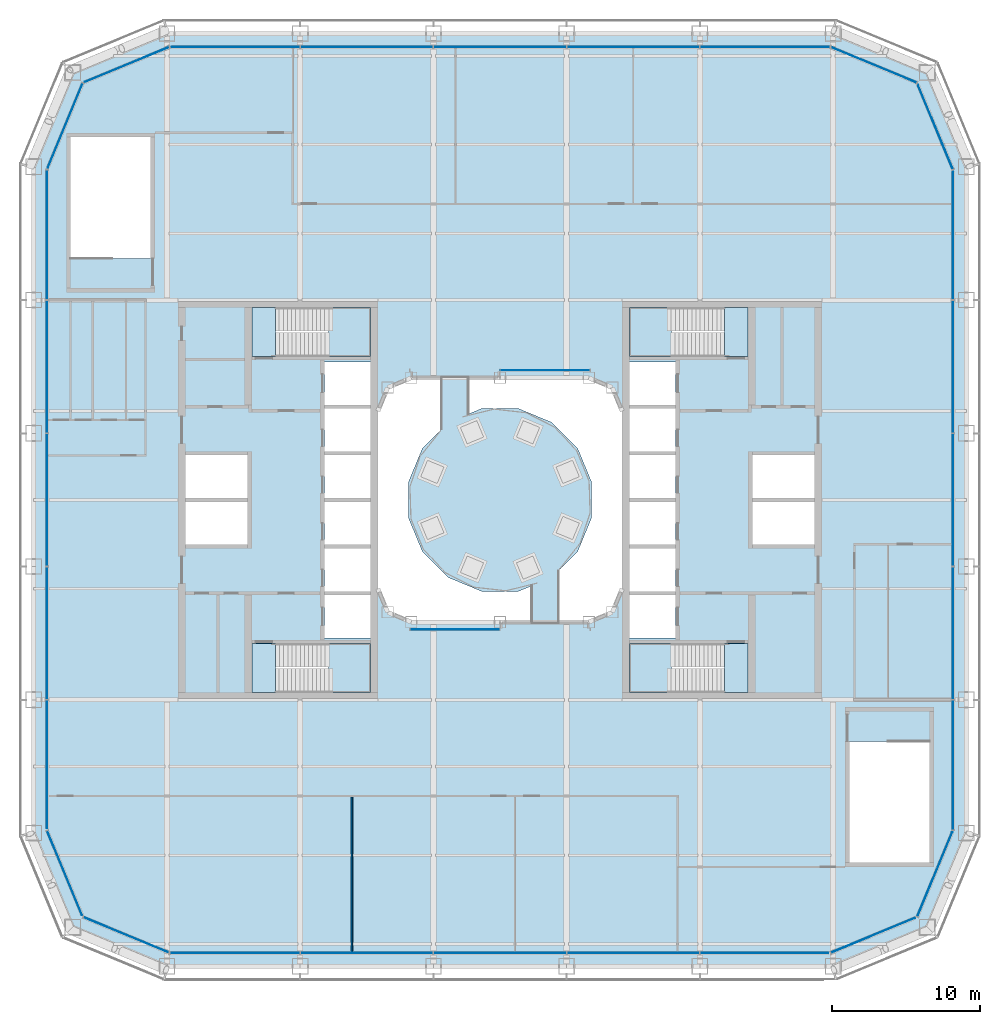
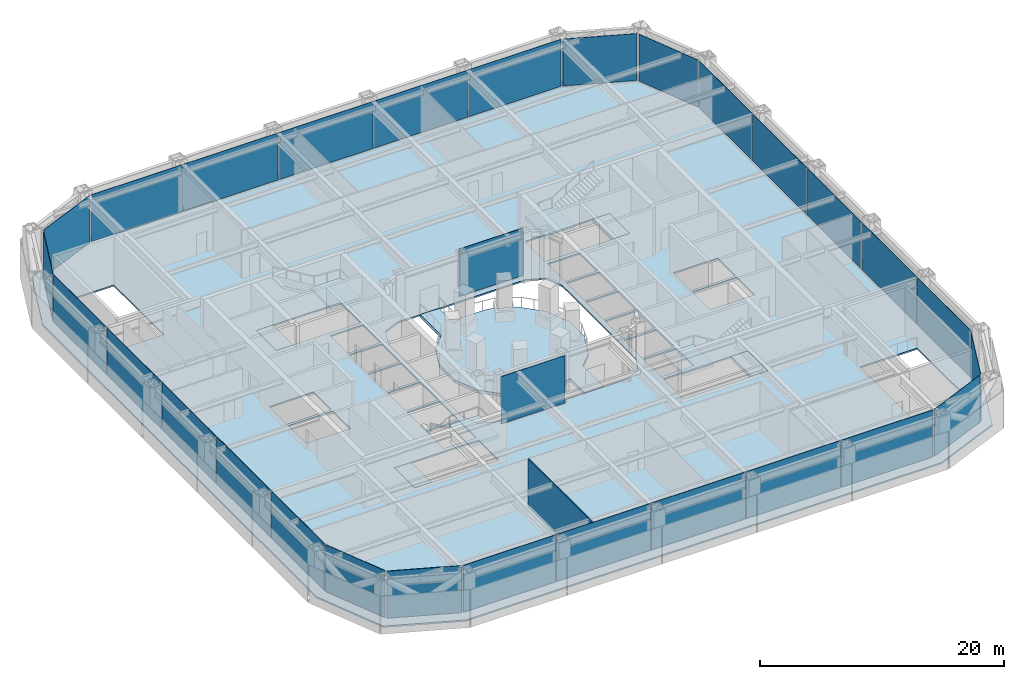
# One storey, part 11 of 25: 30 plates, 10 slabs, 1 wall, 18 elements without a shape of their own.
"""IFC4 building model written with IfcOpenShell, lengths in metres."""

from ifc_helpers import new_model, si_unit, direction, frame, frame_2d, origin, origin_2d, place, context, subcontext, project, spatial, polyline, rectangle, outline, extrude, material, layer, layer_set, type_object, element, aggregate, save


model = new_model("IFC4")

# Units and contexts
model_context = context("Model", 3, precision=1e-05, world=origin(), true_north=direction((0.0, 1.0)))
body_context = subcontext(model_context, "Body", "Model", "MODEL_VIEW")
ifc_project = project(units=[si_unit("LENGTHUNIT", "METRE"), si_unit("AREAUNIT", "SQUARE_METRE"), si_unit("VOLUMEUNIT", "CUBIC_METRE"), si_unit("PLANEANGLEUNIT", "RADIAN"), si_unit("MASSUNIT", "GRAM", prefix="KILO")], contexts=[model_context])

# Site, building, storey
site_placement = place(None, origin())
site = spatial("IfcSite", under=ifc_project, at=site_placement, CompositionType="ELEMENT")
building_placement = place(site_placement, origin())
building = spatial("IfcBuilding", under=site, at=building_placement, Name="Siwar Civic Tower", CompositionType="ELEMENT")
storey_placement = place(building_placement, frame((0.0, 0.0, 17.199951171875)))
storey = spatial("IfcBuildingStorey", under=building, at=storey_placement, Name="L03", CompositionType="ELEMENT", Elevation=17.199951171875)

# Stair, slabs
ifc_material_1 = material(Name="Concrete C40/50", Category="concrete")
stair_type = type_object("IfcStairType", Name="CORE-STAIR", PredefinedType="TWO_STRAIGHT_RUN_STAIR", material=ifc_material_1)
stair_1_placement = place(storey_placement, origin())
stair_1 = element("IfcStair", 1, at=stair_1_placement, inside=storey, type_object=stair_type, Name="Exit stair ST1", PredefinedType="TWO_STRAIGHT_RUN_STAIR")
ifc_material_2 = material(Name="Concrete C40/50", Category="concrete")
ifc_layer_1 = layer(ifc_material_2, 0.300048828125)
ifc_layer_set_1 = layer_set([ifc_layer_1], Name="Concrete C40/50")
slab_type_1 = type_object("IfcSlabType", Name="CORE-STAIR-LANDING", PredefinedType="LANDING", material=ifc_layer_set_1)
slab_1_placement = place(storey_placement, frame((0.0, 0.0, -0.300048828125)))
slab_1 = element("IfcSlab", 2, at=slab_1_placement, type_object=slab_type_1, Name="ST1 landing 1", PredefinedType="LANDING", context=body_context, shape_type="SweptSolid", body=[
    extrude(outline(polyline([(-15.14990234375, 13.0), (-16.75, 13.0), (-16.75, 9.699951171875), (-15.14990234375, 9.699951171875), (-15.14990234375, 13.0)])), origin(), (0.0, 0.0, 1.0), 0.300048828125),
])
slab_2_placement = place(storey_placement, frame((0.0, 0.0, 2.199951171875)))
slab_2 = element("IfcSlab", 3, at=slab_2_placement, type_object=slab_type_1, Name="ST1 landing 2", PredefinedType="LANDING", context=body_context, shape_type="SweptSolid", body=[
    extrude(outline(polyline([(-8.75, 13.0), (-11.580078125, 13.0), (-11.580078125, 9.699951171875), (-8.75, 9.699951171875), (-8.75, 13.0)])), origin(), (0.0, 0.0, 1.0), 0.300048828125),
])
aggregate(stair_1, [slab_1, slab_2])

stair_2_placement = place(storey_placement, origin())
stair_2 = element("IfcStair", 4, at=stair_2_placement, inside=storey, type_object=stair_type, Name="Exit stair ST2", PredefinedType="TWO_STRAIGHT_RUN_STAIR")
slab_3_placement = place(storey_placement, frame((0.0, 0.0, -0.300048828125)))
slab_3 = element("IfcSlab", 5, at=slab_3_placement, type_object=slab_type_1, Name="ST2 landing 1", PredefinedType="LANDING", context=body_context, shape_type="SweptSolid", body=[
    extrude(outline(polyline([(-15.14990234375, -9.699951171875), (-16.75, -9.699951171875), (-16.75, -13.0), (-15.14990234375, -13.0), (-15.14990234375, -9.699951171875)])), origin(), (0.0, 0.0, 1.0), 0.300048828125),
])
slab_4_placement = place(storey_placement, frame((0.0, 0.0, 2.199951171875)))
slab_4 = element("IfcSlab", 6, at=slab_4_placement, type_object=slab_type_1, Name="ST2 landing 2", PredefinedType="LANDING", context=body_context, shape_type="SweptSolid", body=[
    extrude(outline(polyline([(-8.75, -9.699951171875), (-11.580078125, -9.699951171875), (-11.580078125, -13.0), (-8.75, -13.0), (-8.75, -9.699951171875)])), origin(), (0.0, 0.0, 1.0), 0.300048828125),
])
aggregate(stair_2, [slab_3, slab_4])

stair_3_placement = place(storey_placement, origin())
stair_3 = element("IfcStair", 7, at=stair_3_placement, inside=storey, type_object=stair_type, Name="Exit stair ST3", PredefinedType="TWO_STRAIGHT_RUN_STAIR")
slab_5_placement = place(storey_placement, frame((0.0, 0.0, -0.300048828125)))
slab_5 = element("IfcSlab", 8, at=slab_5_placement, type_object=slab_type_1, Name="ST3 landing 1", PredefinedType="LANDING", context=body_context, shape_type="SweptSolid", body=[
    extrude(outline(polyline([(15.14990234375, 9.699951171875), (16.75, 9.699951171875), (16.75, 13.0), (15.14990234375, 13.0), (15.14990234375, 9.699951171875)])), origin(), (0.0, 0.0, 1.0), 0.300048828125),
])
slab_6_placement = place(storey_placement, frame((0.0, 0.0, 2.199951171875)))
slab_6 = element("IfcSlab", 9, at=slab_6_placement, type_object=slab_type_1, Name="ST3 landing 2", PredefinedType="LANDING", context=body_context, shape_type="SweptSolid", body=[
    extrude(outline(polyline([(8.75, 9.699951171875), (11.580078125, 9.699951171875), (11.580078125, 13.0), (8.75, 13.0), (8.75, 9.699951171875)])), origin(), (0.0, 0.0, 1.0), 0.300048828125),
])
aggregate(stair_3, [slab_5, slab_6])

stair_4_placement = place(storey_placement, origin())
stair_4 = element("IfcStair", 10, at=stair_4_placement, inside=storey, type_object=stair_type, Name="Exit stair ST4", PredefinedType="TWO_STRAIGHT_RUN_STAIR")
slab_7_placement = place(storey_placement, frame((0.0, 0.0, -0.300048828125)))
slab_7 = element("IfcSlab", 11, at=slab_7_placement, type_object=slab_type_1, Name="ST4 landing 1", PredefinedType="LANDING", context=body_context, shape_type="SweptSolid", body=[
    extrude(outline(polyline([(15.14990234375, -13.0), (16.75, -13.0), (16.75, -9.699951171875), (15.14990234375, -9.699951171875), (15.14990234375, -13.0)])), origin(), (0.0, 0.0, 1.0), 0.300048828125),
])
slab_8_placement = place(storey_placement, frame((0.0, 0.0, 2.199951171875)))
slab_8 = element("IfcSlab", 12, at=slab_8_placement, type_object=slab_type_1, Name="ST4 landing 2", PredefinedType="LANDING", context=body_context, shape_type="SweptSolid", body=[
    extrude(outline(polyline([(8.75, -13.0), (11.580078125, -13.0), (11.580078125, -9.699951171875), (8.75, -9.699951171875), (8.75, -13.0)])), origin(), (0.0, 0.0, 1.0), 0.300048828125),
])
aggregate(stair_4, [slab_7, slab_8])

# Curtain wall, plates
ifc_material_3 = material(Name="Aluminium and glass", Category="aluminium")
ifc_layer_2 = layer(ifc_material_3, 0.25)
ifc_layer_set_2 = layer_set([ifc_layer_2], Name="Aluminium and glass")
curtain_wall_type_1 = type_object("IfcCurtainWallType", Name="ENV-CW-H", PredefinedType="NOTDEFINED", material=ifc_layer_set_2)
curtain_wall_1_placement = place(storey_placement, origin())
curtain_wall_1 = element("IfcCurtainWall", 13, at=curtain_wall_1_placement, inside=storey, type_object=curtain_wall_type_1, Name="Curtain wall H S", PredefinedType="NOTDEFINED")
ifc_material_4 = material(Name="Glass clear laminated", Category="glass")
ifc_layer_3 = layer(ifc_material_4, 0.0400390625)
ifc_layer_set_3 = layer_set([ifc_layer_3], Name="Glass clear laminated")
plate_type_1 = type_object("IfcPlateType", Name="ENV-PANEL-H", PredefinedType="CURTAIN_PANEL", material=ifc_layer_set_3)
plate_1_placement = place(storey_placement, frame((-17.910400390625, -30.60009765625, 0.14013671875), z_axis=(0.0, 0.0, 1.0), x_axis=(1.0, 0.0, 0.0)))
plate_1 = element("IfcPlate", 14, at=plate_1_placement, type_object=plate_type_1, Name="Curtain panel H S 1", PredefinedType="CURTAIN_PANEL", context=body_context, shape_type="SweptSolid", body=[
    extrude(rectangle(XDim=8.740966796875, YDim=0.0400390625, at=origin_2d()), origin(), (0.0, 0.0, 1.0), 4.7099609375),
])
plate_2_placement = place(storey_placement, frame((-9.0, -30.60009765625, 0.14013671875), z_axis=(0.0, 0.0, 1.0), x_axis=(1.0, 0.0, 0.0)))
plate_2 = element("IfcPlate", 15, at=plate_2_placement, type_object=plate_type_1, Name="Curtain panel H S 2", PredefinedType="CURTAIN_PANEL", context=body_context, shape_type="SweptSolid", body=[
    extrude(rectangle(XDim=8.919921875, YDim=0.0400390625, at=origin_2d()), origin(), (0.0, 0.0, 1.0), 4.7099609375),
])
plate_3_placement = place(storey_placement, frame((0.0, -30.60009765625, 0.14013671875), z_axis=(0.0, 0.0, 1.0), x_axis=(1.0, 0.0, 0.0)))
plate_3 = element("IfcPlate", 16, at=plate_3_placement, type_object=plate_type_1, Name="Curtain panel H S 3", PredefinedType="CURTAIN_PANEL", context=body_context, shape_type="SweptSolid", body=[
    extrude(rectangle(XDim=8.919921875, YDim=0.0400390625, at=origin_2d()), origin(), (0.0, 0.0, 1.0), 4.7099609375),
])
plate_4_placement = place(storey_placement, frame((9.0, -30.60009765625, 0.14013671875), z_axis=(0.0, 0.0, 1.0), x_axis=(1.0, 0.0, 0.0)))
plate_4 = element("IfcPlate", 17, at=plate_4_placement, type_object=plate_type_1, Name="Curtain panel H S 4", PredefinedType="CURTAIN_PANEL", context=body_context, shape_type="SweptSolid", body=[
    extrude(rectangle(XDim=8.919921875, YDim=0.0400390625, at=origin_2d()), origin(), (0.0, 0.0, 1.0), 4.7099609375),
])
plate_5_placement = place(storey_placement, frame((17.862060546875, -30.60009765625, 0.14013671875), z_axis=(0.0, 0.0, 1.0), x_axis=(1.0, 0.0, 0.0)))
plate_5 = element("IfcPlate", 18, at=plate_5_placement, type_object=plate_type_1, Name="Curtain panel H S 5", PredefinedType="CURTAIN_PANEL", context=body_context, shape_type="SweptSolid", body=[
    extrude(rectangle(XDim=8.644287109375, YDim=0.0400390625, at=origin_2d()), origin(), (0.0, 0.0, 1.0), 4.7099609375),
])
aggregate(curtain_wall_1, [plate_1, plate_2, plate_3, plate_4, plate_5])

curtain_wall_2_placement = place(storey_placement, origin())
curtain_wall_2 = element("IfcCurtainWall", 19, at=curtain_wall_2_placement, inside=storey, type_object=curtain_wall_type_1, Name="Curtain wall H E", PredefinedType="NOTDEFINED")
plate_6_placement = place(storey_placement, frame((30.60009765625, -17.910400390625, 0.14013671875), z_axis=(0.0, 0.0, 1.0), x_axis=(0.0, 1.0, 0.0)))
plate_6 = element("IfcPlate", 20, at=plate_6_placement, type_object=plate_type_1, Name="Curtain panel H E 1", PredefinedType="CURTAIN_PANEL", context=body_context, shape_type="SweptSolid", body=[
    extrude(rectangle(XDim=8.740966796875, YDim=0.0400390625, at=origin_2d()), origin(), (0.0, 0.0, 1.0), 4.7099609375),
])
plate_7_placement = place(storey_placement, frame((30.60009765625, -9.0, 0.14013671875), z_axis=(0.0, 0.0, 1.0), x_axis=(0.0, 1.0, 0.0)))
plate_7 = element("IfcPlate", 21, at=plate_7_placement, type_object=plate_type_1, Name="Curtain panel H E 2", PredefinedType="CURTAIN_PANEL", context=body_context, shape_type="SweptSolid", body=[
    extrude(rectangle(XDim=8.919921875, YDim=0.0400390625, at=origin_2d()), origin(), (0.0, 0.0, 1.0), 4.7099609375),
])
plate_8_placement = place(storey_placement, frame((30.60009765625, 0.0, 0.14013671875), z_axis=(0.0, 0.0, 1.0), x_axis=(0.0, 1.0, 0.0)))
plate_8 = element("IfcPlate", 22, at=plate_8_placement, type_object=plate_type_1, Name="Curtain panel H E 3", PredefinedType="CURTAIN_PANEL", context=body_context, shape_type="SweptSolid", body=[
    extrude(rectangle(XDim=8.919921875, YDim=0.0400390625, at=origin_2d()), origin(), (0.0, 0.0, 1.0), 4.7099609375),
])
plate_9_placement = place(storey_placement, frame((30.60009765625, 9.0, 0.14013671875), z_axis=(0.0, 0.0, 1.0), x_axis=(0.0, 1.0, 0.0)))
plate_9 = element("IfcPlate", 23, at=plate_9_placement, type_object=plate_type_1, Name="Curtain panel H E 4", PredefinedType="CURTAIN_PANEL", context=body_context, shape_type="SweptSolid", body=[
    extrude(rectangle(XDim=8.919921875, YDim=0.0400390625, at=origin_2d()), origin(), (0.0, 0.0, 1.0), 4.7099609375),
])
plate_10_placement = place(storey_placement, frame((30.60009765625, 17.862060546875, 0.14013671875), z_axis=(0.0, 0.0, 1.0), x_axis=(0.0, 1.0, 0.0)))
plate_10 = element("IfcPlate", 24, at=plate_10_placement, type_object=plate_type_1, Name="Curtain panel H E 5", PredefinedType="CURTAIN_PANEL", context=body_context, shape_type="SweptSolid", body=[
    extrude(rectangle(XDim=8.644287109375, YDim=0.0400390625, at=origin_2d()), origin(), (0.0, 0.0, 1.0), 4.7099609375),
])
aggregate(curtain_wall_2, [plate_6, plate_7, plate_8, plate_9, plate_10])

curtain_wall_3_placement = place(storey_placement, origin())
curtain_wall_3 = element("IfcCurtainWall", 25, at=curtain_wall_3_placement, inside=storey, type_object=curtain_wall_type_1, Name="Curtain wall H N", PredefinedType="NOTDEFINED")
plate_11_placement = place(storey_placement, frame((17.910400390625, 30.60009765625, 0.14013671875), z_axis=(0.0, 0.0, 1.0), x_axis=(-1.0, 0.0, 0.0)))
plate_11 = element("IfcPlate", 26, at=plate_11_placement, type_object=plate_type_1, Name="Curtain panel H N 1", PredefinedType="CURTAIN_PANEL", context=body_context, shape_type="SweptSolid", body=[
    extrude(rectangle(XDim=8.740966796875, YDim=0.0400390625, at=origin_2d()), origin(), (0.0, 0.0, 1.0), 4.7099609375),
])
plate_12_placement = place(storey_placement, frame((9.0, 30.60009765625, 0.14013671875), z_axis=(0.0, 0.0, 1.0), x_axis=(-1.0, 0.0, 0.0)))
plate_12 = element("IfcPlate", 27, at=plate_12_placement, type_object=plate_type_1, Name="Curtain panel H N 2", PredefinedType="CURTAIN_PANEL", context=body_context, shape_type="SweptSolid", body=[
    extrude(rectangle(XDim=8.919921875, YDim=0.0400390625, at=origin_2d()), origin(), (0.0, 0.0, 1.0), 4.7099609375),
])
plate_13_placement = place(storey_placement, frame((0.0, 30.60009765625, 0.14013671875), z_axis=(0.0, 0.0, 1.0), x_axis=(-1.0, 0.0, 0.0)))
plate_13 = element("IfcPlate", 28, at=plate_13_placement, type_object=plate_type_1, Name="Curtain panel H N 3", PredefinedType="CURTAIN_PANEL", context=body_context, shape_type="SweptSolid", body=[
    extrude(rectangle(XDim=8.919921875, YDim=0.0400390625, at=origin_2d()), origin(), (0.0, 0.0, 1.0), 4.7099609375),
])
plate_14_placement = place(storey_placement, frame((-9.0, 30.60009765625, 0.14013671875), z_axis=(0.0, 0.0, 1.0), x_axis=(-1.0, 0.0, 0.0)))
plate_14 = element("IfcPlate", 29, at=plate_14_placement, type_object=plate_type_1, Name="Curtain panel H N 4", PredefinedType="CURTAIN_PANEL", context=body_context, shape_type="SweptSolid", body=[
    extrude(rectangle(XDim=8.919921875, YDim=0.0400390625, at=origin_2d()), origin(), (0.0, 0.0, 1.0), 4.7099609375),
])
plate_15_placement = place(storey_placement, frame((-17.862060546875, 30.60009765625, 0.14013671875), z_axis=(0.0, 0.0, 1.0), x_axis=(-1.0, 0.0, 0.0)))
plate_15 = element("IfcPlate", 30, at=plate_15_placement, type_object=plate_type_1, Name="Curtain panel H N 5", PredefinedType="CURTAIN_PANEL", context=body_context, shape_type="SweptSolid", body=[
    extrude(rectangle(XDim=8.644287109375, YDim=0.0400390625, at=origin_2d()), origin(), (0.0, 0.0, 1.0), 4.7099609375),
])
aggregate(curtain_wall_3, [plate_11, plate_12, plate_13, plate_14, plate_15])

curtain_wall_4_placement = place(storey_placement, origin())
curtain_wall_4 = element("IfcCurtainWall", 31, at=curtain_wall_4_placement, inside=storey, type_object=curtain_wall_type_1, Name="Curtain wall H W", PredefinedType="NOTDEFINED")
plate_16_placement = place(storey_placement, frame((-30.60009765625, 17.910400390625, 0.14013671875), z_axis=(0.0, 0.0, 1.0), x_axis=(0.0, -1.0, 0.0)))
plate_16 = element("IfcPlate", 32, at=plate_16_placement, type_object=plate_type_1, Name="Curtain panel H W 1", PredefinedType="CURTAIN_PANEL", context=body_context, shape_type="SweptSolid", body=[
    extrude(rectangle(XDim=8.740966796875, YDim=0.0400390625, at=origin_2d()), origin(), (0.0, 0.0, 1.0), 4.7099609375),
])
plate_17_placement = place(storey_placement, frame((-30.60009765625, 9.0, 0.14013671875), z_axis=(0.0, 0.0, 1.0), x_axis=(0.0, -1.0, 0.0)))
plate_17 = element("IfcPlate", 33, at=plate_17_placement, type_object=plate_type_1, Name="Curtain panel H W 2", PredefinedType="CURTAIN_PANEL", context=body_context, shape_type="SweptSolid", body=[
    extrude(rectangle(XDim=8.919921875, YDim=0.0400390625, at=origin_2d()), origin(), (0.0, 0.0, 1.0), 4.7099609375),
])
plate_18_placement = place(storey_placement, frame((-30.60009765625, 0.0, 0.14013671875), z_axis=(0.0, 0.0, 1.0), x_axis=(0.0, -1.0, 0.0)))
plate_18 = element("IfcPlate", 34, at=plate_18_placement, type_object=plate_type_1, Name="Curtain panel H W 3", PredefinedType="CURTAIN_PANEL", context=body_context, shape_type="SweptSolid", body=[
    extrude(rectangle(XDim=8.919921875, YDim=0.0400390625, at=origin_2d()), origin(), (0.0, 0.0, 1.0), 4.7099609375),
])
plate_19_placement = place(storey_placement, frame((-30.60009765625, -9.0, 0.14013671875), z_axis=(0.0, 0.0, 1.0), x_axis=(0.0, -1.0, 0.0)))
plate_19 = element("IfcPlate", 35, at=plate_19_placement, type_object=plate_type_1, Name="Curtain panel H W 4", PredefinedType="CURTAIN_PANEL", context=body_context, shape_type="SweptSolid", body=[
    extrude(rectangle(XDim=8.919921875, YDim=0.0400390625, at=origin_2d()), origin(), (0.0, 0.0, 1.0), 4.7099609375),
])
plate_20_placement = place(storey_placement, frame((-30.60009765625, -17.862060546875, 0.14013671875), z_axis=(0.0, 0.0, 1.0), x_axis=(0.0, -1.0, 0.0)))
plate_20 = element("IfcPlate", 36, at=plate_20_placement, type_object=plate_type_1, Name="Curtain panel H W 5", PredefinedType="CURTAIN_PANEL", context=body_context, shape_type="SweptSolid", body=[
    extrude(rectangle(XDim=8.644287109375, YDim=0.0400390625, at=origin_2d()), origin(), (0.0, 0.0, 1.0), 4.7099609375),
])
aggregate(curtain_wall_4, [plate_16, plate_17, plate_18, plate_19, plate_20])

# Curtain wall, plate
ifc_material_5 = material(Name="Aluminium clad insulated panel", Category="aluminium")
ifc_layer_4 = layer(ifc_material_5, 0.25)
ifc_layer_set_4 = layer_set([ifc_layer_4], Name="Aluminium clad insulated panel")
curtain_wall_type_2 = type_object("IfcCurtainWallType", Name="ENV-CW-HX", PredefinedType="NOTDEFINED", material=ifc_layer_set_4)
curtain_wall_5_placement = place(storey_placement, origin())
curtain_wall_5 = element("IfcCurtainWall", 37, at=curtain_wall_5_placement, inside=storey, type_object=curtain_wall_type_2, Name="Curtain wall H SE1", PredefinedType="NOTDEFINED")
ifc_material_6 = material(Name="Aluminium clad insulated panel", Category="aluminium")
ifc_layer_5 = layer(ifc_material_6, 0.0400390625)
ifc_layer_set_5 = layer_set([ifc_layer_5], Name="Aluminium clad insulated panel")
plate_type_2 = type_object("IfcPlateType", Name="ENV-PANEL-HX", PredefinedType="CURTAIN_PANEL", material=ifc_layer_set_5)
plate_21_placement = place(storey_placement, frame((25.203369140625, -29.406005859375, 0.14013671875), z_axis=(0.0, 0.0, 1.0), x_axis=(0.923879532511, 0.382683432365, 0.0)))
plate_21 = element("IfcPlate", 38, at=plate_21_placement, type_object=plate_type_2, Name="Curtain panel H SE1 1", PredefinedType="CURTAIN_PANEL", context=body_context, shape_type="SweptSolid", body=[
    extrude(rectangle(XDim=6.159912109375, YDim=0.0400390625, at=origin_2d()), origin(), (0.0, 0.0, 1.0), 4.7099609375),
])
aggregate(curtain_wall_5, [plate_21])

curtain_wall_6_placement = place(storey_placement, origin())
curtain_wall_6 = element("IfcCurtainWall", 39, at=curtain_wall_6_placement, inside=storey, type_object=curtain_wall_type_2, Name="Curtain wall H SE2", PredefinedType="NOTDEFINED")
plate_22_placement = place(storey_placement, frame((29.369140625, -25.292724609375, 0.14013671875), z_axis=(0.0, 0.0, 1.0), x_axis=(0.382683432365, 0.923879532511, 0.0)))
plate_22 = element("IfcPlate", 40, at=plate_22_placement, type_object=plate_type_2, Name="Curtain panel H SE2 1", PredefinedType="CURTAIN_PANEL", context=body_context, shape_type="SweptSolid", body=[
    extrude(rectangle(XDim=6.159912109375, YDim=0.0400390625, at=origin_2d()), origin(), (0.0, 0.0, 1.0), 4.7099609375),
])
aggregate(curtain_wall_6, [plate_22])

curtain_wall_7_placement = place(storey_placement, origin())
curtain_wall_7 = element("IfcCurtainWall", 41, at=curtain_wall_7_placement, inside=storey, type_object=curtain_wall_type_2, Name="Curtain wall H NE1", PredefinedType="NOTDEFINED")
plate_23_placement = place(storey_placement, frame((29.406005859375, 25.203369140625, 0.14013671875), z_axis=(0.0, 0.0, 1.0), x_axis=(-0.382683432365, 0.923879532511, 0.0)))
plate_23 = element("IfcPlate", 42, at=plate_23_placement, type_object=plate_type_2, Name="Curtain panel H NE1 1", PredefinedType="CURTAIN_PANEL", context=body_context, shape_type="SweptSolid", body=[
    extrude(rectangle(XDim=6.159912109375, YDim=0.0400390625, at=origin_2d()), origin(), (0.0, 0.0, 1.0), 4.7099609375),
])
aggregate(curtain_wall_7, [plate_23])

curtain_wall_8_placement = place(storey_placement, origin())
curtain_wall_8 = element("IfcCurtainWall", 43, at=curtain_wall_8_placement, inside=storey, type_object=curtain_wall_type_2, Name="Curtain wall H NE2", PredefinedType="NOTDEFINED")
plate_24_placement = place(storey_placement, frame((25.292724609375, 29.369140625, 0.14013671875), z_axis=(0.0, 0.0, 1.0), x_axis=(-0.923879532511, 0.382683432365, 0.0)))
plate_24 = element("IfcPlate", 44, at=plate_24_placement, type_object=plate_type_2, Name="Curtain panel H NE2 1", PredefinedType="CURTAIN_PANEL", context=body_context, shape_type="SweptSolid", body=[
    extrude(rectangle(XDim=6.159912109375, YDim=0.0400390625, at=origin_2d()), origin(), (0.0, 0.0, 1.0), 4.7099609375),
])
aggregate(curtain_wall_8, [plate_24])

curtain_wall_9_placement = place(storey_placement, origin())
curtain_wall_9 = element("IfcCurtainWall", 45, at=curtain_wall_9_placement, inside=storey, type_object=curtain_wall_type_2, Name="Curtain wall H NW1", PredefinedType="NOTDEFINED")
plate_25_placement = place(storey_placement, frame((-25.203369140625, 29.406005859375, 0.14013671875), z_axis=(0.0, 0.0, 1.0), x_axis=(-0.923879532511, -0.382683432365, 0.0)))
plate_25 = element("IfcPlate", 46, at=plate_25_placement, type_object=plate_type_2, Name="Curtain panel H NW1 1", PredefinedType="CURTAIN_PANEL", context=body_context, shape_type="SweptSolid", body=[
    extrude(rectangle(XDim=6.159912109375, YDim=0.0400390625, at=origin_2d()), origin(), (0.0, 0.0, 1.0), 4.7099609375),
])
aggregate(curtain_wall_9, [plate_25])

curtain_wall_10_placement = place(storey_placement, origin())
curtain_wall_10 = element("IfcCurtainWall", 47, at=curtain_wall_10_placement, inside=storey, type_object=curtain_wall_type_2, Name="Curtain wall H NW2", PredefinedType="NOTDEFINED")
plate_26_placement = place(storey_placement, frame((-29.369140625, 25.292724609375, 0.14013671875), z_axis=(0.0, 0.0, 1.0), x_axis=(-0.382683432365, -0.923879532511, 0.0)))
plate_26 = element("IfcPlate", 48, at=plate_26_placement, type_object=plate_type_2, Name="Curtain panel H NW2 1", PredefinedType="CURTAIN_PANEL", context=body_context, shape_type="SweptSolid", body=[
    extrude(rectangle(XDim=6.159912109375, YDim=0.0400390625, at=origin_2d()), origin(), (0.0, 0.0, 1.0), 4.7099609375),
])
aggregate(curtain_wall_10, [plate_26])

curtain_wall_11_placement = place(storey_placement, origin())
curtain_wall_11 = element("IfcCurtainWall", 49, at=curtain_wall_11_placement, inside=storey, type_object=curtain_wall_type_2, Name="Curtain wall H SW1", PredefinedType="NOTDEFINED")
plate_27_placement = place(storey_placement, frame((-29.406005859375, -25.203369140625, 0.14013671875), z_axis=(0.0, 0.0, 1.0), x_axis=(0.382683432365, -0.923879532511, 0.0)))
plate_27 = element("IfcPlate", 50, at=plate_27_placement, type_object=plate_type_2, Name="Curtain panel H SW1 1", PredefinedType="CURTAIN_PANEL", context=body_context, shape_type="SweptSolid", body=[
    extrude(rectangle(XDim=6.159912109375, YDim=0.0400390625, at=origin_2d()), origin(), (0.0, 0.0, 1.0), 4.7099609375),
])
aggregate(curtain_wall_11, [plate_27])

curtain_wall_12_placement = place(storey_placement, origin())
curtain_wall_12 = element("IfcCurtainWall", 51, at=curtain_wall_12_placement, inside=storey, type_object=curtain_wall_type_2, Name="Curtain wall H SW2", PredefinedType="NOTDEFINED")
plate_28_placement = place(storey_placement, frame((-25.292724609375, -29.369140625, 0.14013671875), z_axis=(0.0, 0.0, 1.0), x_axis=(0.923879532511, -0.382683432365, 0.0)))
plate_28 = element("IfcPlate", 52, at=plate_28_placement, type_object=plate_type_2, Name="Curtain panel H SW2 1", PredefinedType="CURTAIN_PANEL", context=body_context, shape_type="SweptSolid", body=[
    extrude(rectangle(XDim=6.159912109375, YDim=0.0400390625, at=origin_2d()), origin(), (0.0, 0.0, 1.0), 4.7099609375),
])
aggregate(curtain_wall_12, [plate_28])

ifc_material_7 = material(Name="Aluminium and glass", Category="aluminium")
ifc_layer_6 = layer(ifc_material_7, 0.179931640625)
ifc_layer_set_6 = layer_set([ifc_layer_6], Name="Aluminium and glass")
curtain_wall_type_3 = type_object("IfcCurtainWallType", Name="ENV-CW-W", PredefinedType="NOTDEFINED", material=ifc_layer_set_6)
curtain_wall_13_placement = place(storey_placement, origin())
curtain_wall_13 = element("IfcCurtainWall", 53, at=curtain_wall_13_placement, inside=storey, type_object=curtain_wall_type_3, Name="Curtain wall W WS", PredefinedType="NOTDEFINED")
ifc_material_8 = material(Name="Glass clear laminated", Category="glass")
ifc_layer_7 = layer(ifc_material_8, 0.031982421875)
ifc_layer_set_7 = layer_set([ifc_layer_7], Name="Glass clear laminated")
plate_type_3 = type_object("IfcPlateType", Name="ENV-PANEL-W", PredefinedType="CURTAIN_PANEL", material=ifc_layer_set_7)
plate_29_placement = place(storey_placement, frame((-3.05078125, -8.760009765625, 0.10009765625), z_axis=(0.0, 0.0, 1.0), x_axis=(1.0, 0.0, 0.0)))
plate_29 = element("IfcPlate", 54, at=plate_29_placement, type_object=plate_type_3, Name="Curtain panel W WS 1", PredefinedType="CURTAIN_PANEL", context=body_context, shape_type="SweptSolid", body=[
    extrude(rectangle(XDim=6.04150390625, YDim=0.031982421875, at=origin_2d()), origin(), (0.0, 0.0, 1.0), 4.75),
])
aggregate(curtain_wall_13, [plate_29])

curtain_wall_14_placement = place(storey_placement, origin())
curtain_wall_14 = element("IfcCurtainWall", 55, at=curtain_wall_14_placement, inside=storey, type_object=curtain_wall_type_3, Name="Curtain wall W WN", PredefinedType="NOTDEFINED")
plate_30_placement = place(storey_placement, frame((3.05078125, 8.760009765625, 0.10009765625), z_axis=(0.0, 0.0, 1.0), x_axis=(-1.0, 0.0, 0.0)))
plate_30 = element("IfcPlate", 56, at=plate_30_placement, type_object=plate_type_3, Name="Curtain panel W WN 1", PredefinedType="CURTAIN_PANEL", context=body_context, shape_type="SweptSolid", body=[
    extrude(rectangle(XDim=6.04150390625, YDim=0.031982421875, at=origin_2d()), origin(), (0.0, 0.0, 1.0), 4.75),
])
aggregate(curtain_wall_14, [plate_30])

# Slabs
ifc_material_9 = material(Name="Concrete C40/50", Category="concrete")
ifc_layer_8 = layer(ifc_material_9, 0.300048828125)
ifc_layer_set_8 = layer_set([ifc_layer_8], Name="Concrete C40/50")
slab_type_2 = type_object("IfcSlabType", Name="GND-DRUMROOF", PredefinedType="ROOF", material=ifc_layer_set_8)
slab_9_placement = place(storey_placement, frame((0.0, 0.0, -0.300048828125)))
element("IfcSlab", 57, at=slab_9_placement, inside=storey, type_object=slab_type_2, Name="Council chamber roof terrace", PredefinedType="ROOF", context=body_context, shape_type="SweptSolid", body=[
    extrude(outline(polyline([(2.14990234375, -8.239990234375), (2.14990234375, -5.797607421875), (1.22900390625, -6.178955078125), (-1.22900390625, -6.178955078125), (-3.5, -5.23828125), (-5.23828125, -3.5), (-6.178955078125, -1.22900390625), (-6.178955078125, 1.22900390625), (-5.23828125, 3.5), (-3.949951171875, 4.788330078125), (-3.949951171875, 8.239990234375), (-2.14990234375, 8.239990234375), (-2.14990234375, 5.797607421875), (-1.22900390625, 6.178955078125), (1.22900390625, 6.178955078125), (3.5, 5.23828125), (5.23828125, 3.5), (6.178955078125, 1.22900390625), (6.178955078125, -1.22900390625), (5.23828125, -3.5), (3.949951171875, -4.788330078125), (3.949951171875, -8.239990234375), (2.14990234375, -8.239990234375)])), origin(), (0.0, 0.0, 1.0), 0.300048828125),
])
ifc_material_10 = material(Name="Concrete C40/50", Category="concrete")
ifc_layer_9 = layer(ifc_material_10, 0.14990234375)
ifc_layer_set_9 = layer_set([ifc_layer_9], Name="Concrete C40/50")
slab_type_3 = type_object("IfcSlabType", Name="STR-FLOOR-DECK-150", PredefinedType="FLOOR", material=ifc_layer_set_9)
slab_10_placement = place(storey_placement, frame((0.0, 0.0, -0.14990234375)))
element("IfcSlab", 58, at=slab_10_placement, inside=storey, type_object=slab_type_3, Name="L03/slab/1", PredefinedType="FLOOR", context=body_context, shape_type="SweptSolid", body=[
    extrude(outline(polyline([(-22.5, -31.5), (22.5, -31.5), (28.864013671875, -28.864013671875), (31.5, -22.5), (31.5, 22.5), (28.864013671875, 28.864013671875), (22.5, 31.5), (-22.5, 31.5), (-28.864013671875, 28.864013671875), (-31.5, 22.5), (-31.5, -22.5), (-28.864013671875, -28.864013671875), (-22.5, -31.5)]), holes=[polyline([(29.0, -16.300048828125), (29.0, -24.5), (23.60009765625, -24.5), (23.60009765625, -16.300048828125), (29.0, -16.300048828125)]), polyline([(21.25, 3.02490234375), (21.25, 0.125), (17.050048828125, 0.125), (17.050048828125, 3.02490234375), (21.25, 3.02490234375)]), polyline([(17.050048828125, -0.125), (21.25, -0.125), (21.25, -3.02490234375), (17.050048828125, -3.02490234375), (17.050048828125, -0.125)]), polyline([(16.75, 13.0), (16.75, 9.699951171875), (8.75, 9.699951171875), (8.75, 13.0), (16.75, 13.0)]), polyline([(16.75, -9.699951171875), (16.75, -13.0), (8.75, -13.0), (8.75, -9.699951171875), (16.75, -9.699951171875)]), polyline([(11.85009765625, 9.324951171875), (11.85009765625, 6.425048828125), (8.75, 6.425048828125), (8.75, 9.324951171875), (11.85009765625, 9.324951171875)]), polyline([(11.85009765625, 3.02490234375), (11.85009765625, 0.125), (8.75, 0.125), (8.75, 3.02490234375), (11.85009765625, 3.02490234375)]), polyline([(11.85009765625, -0.125), (11.85009765625, -3.02490234375), (8.75, -3.02490234375), (8.75, -0.125), (11.85009765625, -0.125)]), polyline([(11.85009765625, -3.27490234375), (11.85009765625, -6.175048828125), (8.75, -6.175048828125), (8.75, -3.27490234375), (11.85009765625, -3.27490234375)]), polyline([(8.75, 6.175048828125), (11.85009765625, 6.175048828125), (11.85009765625, 3.27490234375), (8.75, 3.27490234375), (8.75, 6.175048828125)]), polyline([(8.75, -6.425048828125), (11.85009765625, -6.425048828125), (11.85009765625, -9.324951171875), (8.75, -9.324951171875), (8.75, -6.425048828125)]), polyline([(-6.0, 8.25), (6.0, 8.25), (7.591064453125, 7.591064453125), (8.25, 6.0), (8.25, -6.0), (7.591064453125, -7.591064453125), (6.0, -8.25), (-6.0, -8.25), (-7.591064453125, -7.591064453125), (-8.25, -6.0), (-8.25, 6.0), (-7.591064453125, 7.591064453125), (-6.0, 8.25)]), polyline([(-8.75, 3.27490234375), (-11.85009765625, 3.27490234375), (-11.85009765625, 6.175048828125), (-8.75, 6.175048828125), (-8.75, 3.27490234375)]), polyline([(-8.75, -6.175048828125), (-11.85009765625, -6.175048828125), (-11.85009765625, -3.27490234375), (-8.75, -3.27490234375), (-8.75, -6.175048828125)]), polyline([(-8.75, -9.324951171875), (-11.85009765625, -9.324951171875), (-11.85009765625, -6.425048828125), (-8.75, -6.425048828125), (-8.75, -9.324951171875)]), polyline([(-8.75, -13.0), (-16.75, -13.0), (-16.75, -9.699951171875), (-8.75, -9.699951171875), (-8.75, -13.0)]), polyline([(-11.85009765625, 6.425048828125), (-11.85009765625, 9.324951171875), (-8.75, 9.324951171875), (-8.75, 6.425048828125), (-11.85009765625, 6.425048828125)]), polyline([(-11.85009765625, 0.125), (-11.85009765625, 3.02490234375), (-8.75, 3.02490234375), (-8.75, 0.125), (-11.85009765625, 0.125)]), polyline([(-11.85009765625, -3.02490234375), (-11.85009765625, -0.125), (-8.75, -0.125), (-8.75, -3.02490234375), (-11.85009765625, -3.02490234375)]), polyline([(-16.75, 9.699951171875), (-16.75, 13.0), (-8.75, 13.0), (-8.75, 9.699951171875), (-16.75, 9.699951171875)]), polyline([(-21.25, 0.125), (-21.25, 3.02490234375), (-17.050048828125, 3.02490234375), (-17.050048828125, 0.125), (-21.25, 0.125)]), polyline([(-21.25, -3.02490234375), (-21.25, -0.125), (-17.050048828125, -0.125), (-17.050048828125, -3.02490234375), (-21.25, -3.02490234375)]), polyline([(-29.0, 24.5), (-23.60009765625, 24.5), (-23.60009765625, 16.300048828125), (-29.0, 16.300048828125), (-29.0, 24.5)])]), origin(), (0.0, 0.0, 1.0), 0.14990234375),
])

# Wall
ifc_material_11 = material(Name="Gypsum board on steel studs", Category="steel")
ifc_layer_10 = layer(ifc_material_11, 0.10009765625)
ifc_layer_set_10 = layer_set([ifc_layer_10], Name="Gypsum board on steel studs")
wall_type = type_object("IfcWallType", Name="PARTITION 100 GYPSUM", PredefinedType="PARTITIONING", material=ifc_layer_set_10)
wall_placement = place(storey_placement, frame((-10.0, -30.510009765625, 0.0), z_axis=(0.0, 0.0, 1.0), x_axis=(0.0, 1.0, 0.0)))
element("IfcWall", 59, at=wall_placement, inside=storey, type_object=wall_type, Name="L03/wall/P19", PredefinedType="PARTITIONING", context=body_context, shape_type="SweptSolid", body=[
    extrude(rectangle(XDim=10.43505859375, YDim=0.10009765625, at=frame_2d((5.217529296875, 0.0))), origin(), (0.0, 0.0, 1.0), 4.85009765625),
])

save(model, "model.ifc")
